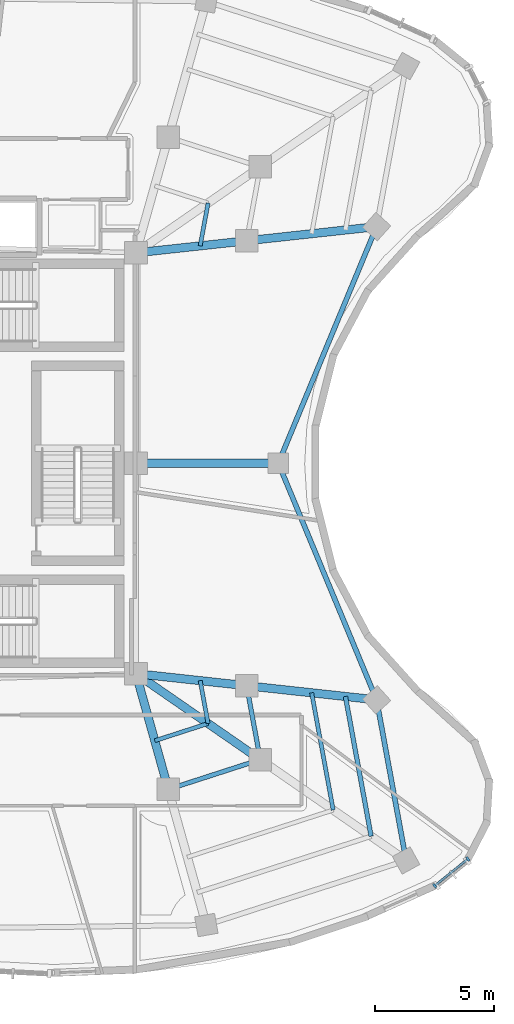
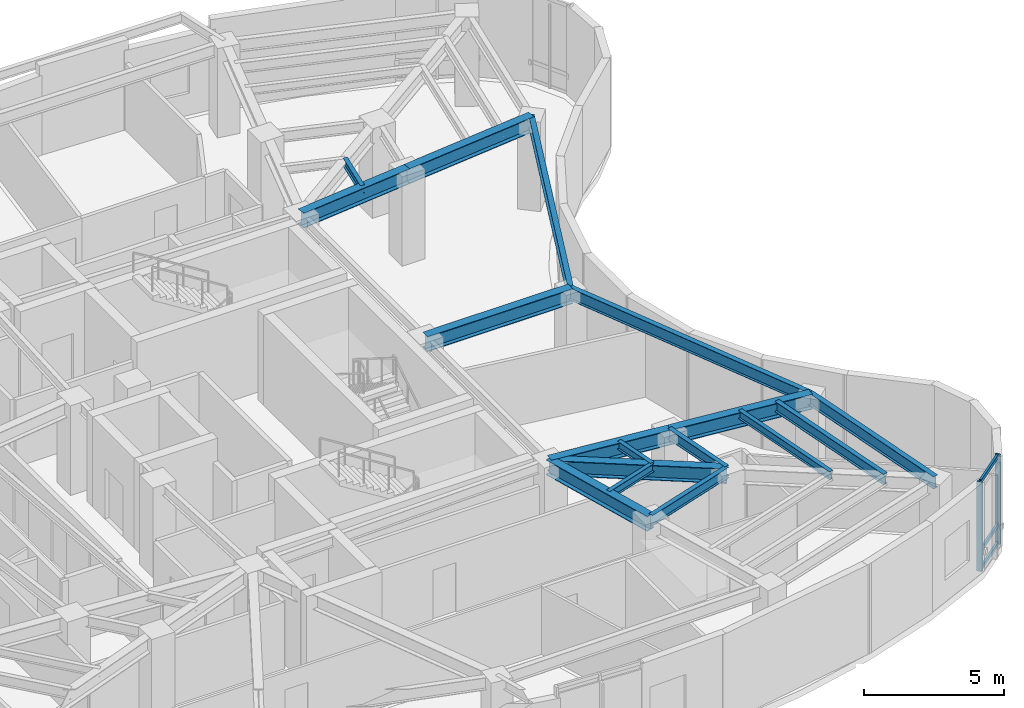
# One storey, part 4 of 13: 17 beams, 5 members, 1 element without a shape of its own.
"""IFC4 building model written with IfcOpenShell, lengths in metres."""

import ifcopenshell
import ifcopenshell.guid

model = None  # the IFC model being written
_history = None  # IfcOwnerHistory: only IFC2X3 demands one
_inside = {}  # id of a spatial element -> (the spatial element, [elements in it])
_under = {}  # id of a project, library or spatial element -> (it, [spatial elements below it])
_declared = {}  # id of a project -> (the project, [libraries it declares])
_typed = {}  # id of a type object -> (the type object, [elements of that type])
_made_of = {}  # id of a material, layer set ... -> (it, [elements and type objects made of it])


def new_model(schema):
    """Start an empty IFC model of exactly this schema.

    Asked for "IFC4X3", IfcOpenShell would pick the latest addendum, in which some entities
    have other attributes; the version numbers below select the first issue.
    IFC2X3 requires an IfcOwnerHistory on every rooted entity: one is made here for all.
    """
    global model, _history
    if schema == "IFC4X3":
        model = ifcopenshell.file(schema_version=(4, 3, 0, 0))
    else:
        model = ifcopenshell.file(schema=schema)
    _inside.clear()
    _under.clear()
    _declared.clear()
    _typed.clear()
    _made_of.clear()
    _history = None
    if model.schema == "IFC2X3":
        org = make("IfcOrganization", Name="unknown")
        user = make(
            "IfcPersonAndOrganization",
            ThePerson=make("IfcPerson", FamilyName="unknown"),
            TheOrganization=org,
        )
        app = make(
            "IfcApplication",
            ApplicationDeveloper=org,
            Version="unknown",
            ApplicationFullName="unknown",
            ApplicationIdentifier="unknown",
        )
        _history = make(
            "IfcOwnerHistory",
            OwningUser=user,
            OwningApplication=app,
            ChangeAction="ADDED",
            CreationDate=0,
        )
    return model


def make(cls, **values):
    """One entity of the class cls with the attributes given. An attribute that is None is left unset."""
    return model.create_entity(
        cls, **{name: value for name, value in values.items() if value is not None}
    )


def rooted(cls, **values):
    """An entity with a GlobalId (a new one), such as an element, a storey or a relation."""
    return make(cls, GlobalId=ifcopenshell.guid.new(), OwnerHistory=_history, **values)


def si_unit(unit_type, name, prefix=None):
    """IfcSIUnit, for example si_unit("LENGTHUNIT", "METRE", prefix="MILLI")."""
    return make("IfcSIUnit", UnitType=unit_type, Prefix=prefix, Name=name)


def assignment(units):
    """IfcUnitAssignment: the units of a project."""
    return None if units is None else make("IfcUnitAssignment", Units=units)


def point(xyz):
    """IfcCartesianPoint."""
    return None if xyz is None else make("IfcCartesianPoint", Coordinates=xyz)


def direction(xyz):
    """IfcDirection."""
    return None if xyz is None else make("IfcDirection", DirectionRatios=xyz)


def frame(location, z_axis=None, x_axis=None):
    """IfcAxis2Placement3D, a coordinate frame: its origin and axes. An axis left out is left unset."""
    return make(
        "IfcAxis2Placement3D",
        Location=point(location),
        Axis=direction(z_axis),
        RefDirection=direction(x_axis),
    )


def frame_2d(location, x_axis=None):
    """IfcAxis2Placement2D, a coordinate frame in the plane: its origin and x axis."""
    return make(
        "IfcAxis2Placement2D", Location=point(location), RefDirection=direction(x_axis)
    )


def origin():
    """The frame at (0, 0, 0) with its axes left unset."""
    return frame((0.0, 0.0, 0.0))


def origin_2d():
    """The frame at (0, 0) in the plane with its x axis left unset."""
    return frame_2d((0.0, 0.0))


def place(relative_to, where):
    """IfcLocalPlacement: puts the frame where relative to a parent placement (None: the world)."""
    return make(
        "IfcLocalPlacement", PlacementRelTo=relative_to, RelativePlacement=where
    )


def context(
    kind, dimensions, precision=None, world=None, true_north=None, identifier=None
):
    """IfcGeometricRepresentationContext, for example the 3D "Model" context."""
    return make(
        "IfcGeometricRepresentationContext",
        ContextIdentifier=identifier,
        ContextType=kind,
        CoordinateSpaceDimension=dimensions,
        Precision=precision,
        WorldCoordinateSystem=world,
        TrueNorth=true_north,
    )


def subcontext(parent, identifier, kind, view, scale=None):
    """IfcGeometricRepresentationSubContext, for example "Body" below "Model"."""
    return make(
        "IfcGeometricRepresentationSubContext",
        ContextIdentifier=identifier,
        ContextType=kind,
        ParentContext=parent,
        TargetScale=scale,
        TargetView=view,
    )


def project(units=None, contexts=None):
    """IfcProject with its units and contexts."""
    return rooted(
        "IfcProject",
        Name="project",
        RepresentationContexts=contexts,
        UnitsInContext=assignment(units),
    )


def spatial(cls, under=None, at=None, **own):
    """A site, building, storey or space (cls), placed at a placement, below another one or the project."""
    s = rooted(cls, ObjectPlacement=at, **own)
    if under is not None:
        _under.setdefault(under.id(), (under, []))[1].append(s)
    return s


def profile(cls, at=None, kind="AREA", **sizes):
    """A parametric profile (cls). Its sizes go by their IFC names, for example OverallWidth=200.0."""
    return make(cls, ProfileType=kind, Position=at, **sizes)


def rectangle(**sizes):
    """IfcRectangleProfileDef."""
    return profile("IfcRectangleProfileDef", **sizes)


def i_section(**sizes):
    """IfcIShapeProfileDef."""
    return profile("IfcIShapeProfileDef", **sizes)


def extrude(swept, where, along, depth):
    """IfcExtrudedAreaSolid: the profile swept, set in the frame where, extruded along a direction by depth."""
    return make(
        "IfcExtrudedAreaSolid",
        SweptArea=swept,
        Position=where,
        ExtrudedDirection=direction(along),
        Depth=depth,
    )


def shape(context_of_items, identifier, shape_type, items):
    """IfcShapeRepresentation: the items that make up one representation, for example the "Body"."""
    return make(
        "IfcShapeRepresentation",
        ContextOfItems=context_of_items,
        RepresentationIdentifier=identifier,
        RepresentationType=shape_type,
        Items=items,
    )


def material(Name=None, Category=None):
    """IfcMaterial."""
    return make("IfcMaterial", Name=Name, Category=Category)


def layer(
    of_material, thickness, ventilated=None, Name=None, Category=None, Priority=None
):
    """IfcMaterialLayer: one layer of a wall or slab, of a material (None: an air gap)."""
    return make(
        "IfcMaterialLayer",
        Material=of_material,
        LayerThickness=thickness,
        IsVentilated=ventilated,
        Name=Name,
        Category=Category,
        Priority=Priority,
    )


def layer_set(layers, Name=None):
    """IfcMaterialLayerSet."""
    return make("IfcMaterialLayerSet", MaterialLayers=layers, LayerSetName=Name)


def material_profile(
    of_material, cross_section, Name=None, Category=None, Priority=None
):
    """IfcMaterialProfile: a cross section and its material."""
    return make(
        "IfcMaterialProfile",
        Name=Name,
        Material=of_material,
        Profile=cross_section,
        Priority=Priority,
        Category=Category,
    )


def profile_set(profiles, Name=None, composite=None):
    """IfcMaterialProfileSet."""
    return make(
        "IfcMaterialProfileSet",
        Name=Name,
        MaterialProfiles=profiles,
        CompositeProfile=composite,
    )


def made_of(thing, what):
    """Note that an element or type object is made of a material, layer set ...; save() writes the relation."""
    if what is not None:
        _made_of.setdefault(what.id(), (what, []))[1].append(thing)
    return thing


def type_object(cls, material=None, **own):
    """A type object (cls), such as IfcWallType, which elements share."""
    return made_of(rooted(cls, **own), material)


def element(
    cls,
    number,
    at=None,
    inside=None,
    cuts=None,
    type_object=None,
    material=None,
    context=None,
    identifier="Body",
    shape_type=None,
    held_by="IfcProductDefinitionShape",
    body=None,
    shapes=None,
    **own,
):
    """One element of the class cls, such as IfcWall. Its Tag is "e" and its number.

    at: its placement. inside: the storey or other place that contains it. cuts: it is an
    opening in that element (IfcRelVoidsElement). A single representation is given by context,
    identifier, shape_type and body (its items); several are given by shapes. held_by: the class
    of the entity that holds the representations. save() writes the other relations.
    """
    e = rooted(cls, Tag="e%d" % number, ObjectPlacement=at, **own)
    if body is not None:
        shapes = [shape(context, identifier, shape_type, body)]
    if shapes is not None:
        e.Representation = make(held_by, Representations=shapes)
    if inside is not None:
        _inside.setdefault(inside.id(), (inside, []))[1].append(e)
    if cuts is not None:
        rooted(
            "IfcRelVoidsElement", RelatingBuildingElement=cuts, RelatedOpeningElement=e
        )
    if type_object is not None:
        _typed.setdefault(type_object.id(), (type_object, []))[1].append(e)
    return made_of(e, material)


def aggregate(whole, parts):
    """IfcRelAggregates: a whole, such as a stair, and the parts it consists of."""
    return rooted("IfcRelAggregates", RelatingObject=whole, RelatedObjects=parts)


def save(model, path):
    """Write the relations noted so far, then the file.

    IfcRelAggregates (storeys below a building ...), IfcRelContainedInSpatialStructure (elements
    in a storey), IfcRelDefinesByType, IfcRelAssociatesMaterial and IfcRelDeclares: one each for
    every whole, place, type object, material and project.
    """
    for whole, parts in _under.values():
        aggregate(whole, parts)
    for where, things in _inside.values():
        rooted(
            "IfcRelContainedInSpatialStructure",
            RelatedElements=things,
            RelatingStructure=where,
        )
    for kind, things in _typed.values():
        rooted("IfcRelDefinesByType", RelatedObjects=things, RelatingType=kind)
    for what, things in _made_of.values():
        rooted("IfcRelAssociatesMaterial", RelatedObjects=things, RelatingMaterial=what)
    for by, libraries in _declared.values():
        rooted("IfcRelDeclares", RelatingContext=by, RelatedDefinitions=libraries)
    model.write(path)


model = new_model("IFC4")

# Units and contexts
model_context = context("Model", 3, precision=1e-05, world=origin(), true_north=direction((0.0, 1.0)))
body_context = subcontext(model_context, "Body", "Model", "MODEL_VIEW")
ifc_project = project(units=[si_unit("LENGTHUNIT", "METRE"), si_unit("AREAUNIT", "SQUARE_METRE"), si_unit("VOLUMEUNIT", "CUBIC_METRE"), si_unit("PLANEANGLEUNIT", "RADIAN"), si_unit("MASSUNIT", "GRAM", prefix="KILO")], contexts=[model_context])

# Site, building, storey
site_placement = place(None, origin())
site = spatial("IfcSite", under=ifc_project, at=site_placement, CompositionType="ELEMENT")
building_placement = place(site_placement, origin())
building = spatial("IfcBuilding", under=site, at=building_placement, Name="Korentha Bioscience Tower", CompositionType="ELEMENT")
storey_placement = place(building_placement, frame((0.0, 0.0, 243.60009765625)))
storey = spatial("IfcBuildingStorey", under=building, at=storey_placement, Name="L56", CompositionType="ELEMENT", Elevation=243.60009765625)

# Beams
ifc_material_1 = material(Name="Steel S355", Category="steel")
ifc_material_profile_1 = material_profile(ifc_material_1, i_section(OverallWidth=0.18994140625, OverallDepth=0.45703125, WebThickness=0.009033203125, FlangeThickness=0.014404296875, at=origin_2d()), Name="Steel S355")
ifc_profile_set_1 = profile_set([ifc_material_profile_1], Name="Steel S355 (MB-460)")
beam_type_1 = type_object("IfcBeamType", Name="Mid-Ring Tie Girder W460x74", PredefinedType="BEAM", material=ifc_profile_set_1)
beam_1_placement = place(storey_placement, frame((38.9111328125, 13.285888671875, 3.67138671875), z_axis=(0.951528341902, 0.307561074514, 0.0), x_axis=(-0.307561074514, 0.951528341902, 0.0)))
element("IfcBeam", 1, at=beam_1_placement, inside=storey, type_object=beam_type_1, Name="L56 Mid-Ring Tie Girder 12", PredefinedType="BEAM", context=body_context, shape_type="SweptSolid", body=[
    extrude(i_section(OverallWidth=0.18994140625, OverallDepth=0.45703125, WebThickness=0.009033203125, FlangeThickness=0.014404296875, at=origin_2d()), origin(), (0.0, 0.0, 1.0), 4.062744140625),
])
beam_2_placement = place(storey_placement, frame((42.77685546875, 14.535400390625, 3.67138671875), z_axis=(-0.180965758034, 0.983489397207, 0.0), x_axis=(-0.983489397207, -0.180965758034, 0.0)))
element("IfcBeam", 2, at=beam_2_placement, inside=storey, type_object=beam_type_1, Name="L56 Mid-Ring Tie Girder 13", PredefinedType="BEAM", context=body_context, shape_type="SweptSolid", body=[
    extrude(i_section(OverallWidth=0.18994140625, OverallDepth=0.45703125, WebThickness=0.009033203125, FlangeThickness=0.014404296875, at=origin_2d()), origin(), (0.0, 0.0, 1.0), 3.15966796875),
])

# Curtain wall, members
ifc_material_2 = material(Name="Thermally Broken Aluminium Frame", Category="aluminium")
ifc_layer = layer(ifc_material_2, 0.219970703125, Name="Thermally Broken Aluminium Frame")
ifc_layer_set = layer_set([ifc_layer], Name="Thermally Broken Aluminium Frame (CW-T2)")
curtain_wall_type = type_object("IfcCurtainWallType", Name="Solar-Screened Lab Unitised Curtain Wall CW-T2", PredefinedType="USERDEFINED", material=ifc_layer_set)
curtain_wall_placement = place(storey_placement, origin())
curtain_wall = element("IfcCurtainWall", 3, at=curtain_wall_placement, inside=storey, type_object=curtain_wall_type, Name="L56 Curtain Wall 37", ObjectType="UNITISED", PredefinedType="USERDEFINED")
ifc_material_3 = material(Name="Anodised Aluminium 6063-T6", Category="aluminium")
ifc_material_profile_2 = material_profile(ifc_material_3, rectangle(XDim=0.090087890625, YDim=0.199951171875, at=origin_2d()), Name="Anodised Aluminium 6063-T6")
ifc_profile_set_2 = profile_set([ifc_material_profile_2], Name="Anodised Aluminium 6063-T6 (CW-MUL)")
member_type_1 = type_object("IfcMemberType", Name="Mullion RECT 90x200", PredefinedType="MULLION", material=ifc_profile_set_2)
member_1_placement = place(storey_placement, frame((50.1123046875, 9.225341796875, 0.0), z_axis=(0.0, 0.0, 1.0), x_axis=(0.777226359638, 0.629221094596, 0.0)))
member_1 = element("IfcMember", 4, at=member_1_placement, type_object=member_type_1, Name="CW-L56-37 Mullion 1", PredefinedType="MULLION", context=body_context, shape_type="SweptSolid", body=[
    extrude(rectangle(XDim=0.090087890625, YDim=0.199951171875, at=origin_2d()), origin(), (0.0, 0.0, 1.0), 3.89990234375),
])
member_2_placement = place(storey_placement, frame((51.509033203125, 10.356201171875, 0.0), z_axis=(0.0, 0.0, 1.0), x_axis=(0.777226359638, 0.629221094596, 0.0)))
member_2 = element("IfcMember", 5, at=member_2_placement, type_object=member_type_1, Name="CW-L56-37 Mullion 2", PredefinedType="MULLION", context=body_context, shape_type="SweptSolid", body=[
    extrude(rectangle(XDim=0.090087890625, YDim=0.199951171875, at=origin_2d()), origin(), (0.0, 0.0, 1.0), 3.89990234375),
])

# Beams
ifc_material_profile_3 = material_profile(ifc_material_1, i_section(OverallWidth=0.208984375, OverallDepth=0.532958984375, WebThickness=0.01025390625, FlangeThickness=0.015625, at=origin_2d()), Name="Steel S355")
ifc_profile_set_3 = profile_set([ifc_material_profile_3], Name="Steel S355 (SB-530)")
beam_type_2 = type_object("IfcBeamType", Name="Perimeter Ring Spandrel Girder W530x92", PredefinedType="SPANDREL", material=ifc_profile_set_3)
beam_3_placement = place(storey_placement, frame((48.912841796875, 10.292236328125, 3.63330078125), z_axis=(-0.180958869982, 0.98349066461, 0.0), x_axis=(-0.98349066461, -0.180958869982, 0.0)))
element("IfcBeam", 6, at=beam_3_placement, inside=storey, type_object=beam_type_2, Name="L56 Perimeter Spandrel Girder 13", PredefinedType="SPANDREL", context=body_context, shape_type="SweptSolid", body=[
    extrude(i_section(OverallWidth=0.208984375, OverallDepth=0.532958984375, WebThickness=0.01025390625, FlangeThickness=0.015625, at=origin_2d()), origin(), (0.0, 0.0, 1.0), 6.868408203125),
])
for number, where, z_axis, x_axis, name in (
    (7, (47.669921875, 17.04736328125, 3.63330078125), (-0.383518045315, 0.923533382676, 0.0), (-0.923533382676, -0.383518045315, 0.0), "L56 Perimeter Spandrel Girder 14"),
    (8, (43.536865234375, 27.0, 3.63330078125), (0.383518045315, 0.923533382676, 0.0), (-0.923533382676, 0.383518045315, 0.0), "L56 Perimeter Spandrel Girder 15"),
):
    element("IfcBeam", number, at=place(storey_placement, frame(where, z_axis=z_axis, x_axis=x_axis)), inside=storey, type_object=beam_type_2, Name=name, PredefinedType="SPANDREL", context=body_context, shape_type="SweptSolid", body=[
        extrude(i_section(OverallWidth=0.208984375, OverallDepth=0.532958984375, WebThickness=0.01025390625, FlangeThickness=0.015625, at=origin_2d()), origin(), (0.0, 0.0, 1.0), 10.776611328125),
    ])
ifc_material_profile_4 = material_profile(ifc_material_1, i_section(OverallWidth=0.18994140625, OverallDepth=0.45703125, WebThickness=0.009033203125, FlangeThickness=0.014404296875, at=origin_2d()), Name="Steel S355")
ifc_profile_set_4 = profile_set([ifc_material_profile_4], Name="Steel S355 (RB-460)")
beam_type_3 = type_object("IfcBeamType", Name="Radial Laboratory Beam W460x74", PredefinedType="BEAM", material=ifc_profile_set_4)
beam_4_placement = place(storey_placement, frame((47.440185546875, 11.310791015625, 3.67138671875), z_axis=(-0.18095869438, 0.98349069692, 0.0), x_axis=(-0.98349069692, -0.18095869438, 0.0)))
element("IfcBeam", 9, at=beam_4_placement, inside=storey, type_object=beam_type_3, Name="L56 Secondary Floor Beam JSTO-13", PredefinedType="BEAM", context=body_context, shape_type="SweptSolid", body=[
    extrude(i_section(OverallWidth=0.18994140625, OverallDepth=0.45703125, WebThickness=0.009033203125, FlangeThickness=0.014404296875, at=origin_2d()), origin(), (0.0, 0.0, 1.0), 5.97802734375),
])
ifc_material_profile_5 = material_profile(ifc_material_1, i_section(OverallWidth=0.35009765625, OverallDepth=0.64990234375, WebThickness=0.01611328125, FlangeThickness=0.02490234375, at=origin_2d()), Name="Steel S355")
ifc_profile_set_5 = profile_set([ifc_material_profile_5], Name="Steel S355 (RB-650)")
beam_type_4 = type_object("IfcBeamType", Name="Radial Laboratory Girder CVS 650x208", PredefinedType="BEAM", material=ifc_profile_set_5)
beam_5_placement = place(storey_placement, frame((37.550048828125, 18.14990234375, 3.574951171875), z_axis=(0.269475733077, -0.963007180286, 0.0), x_axis=(0.963007180286, 0.269475733077, 0.0)))
element("IfcBeam", 10, at=beam_5_placement, inside=storey, type_object=beam_type_4, Name="L56 Inner Radial Girder 12", PredefinedType="BEAM", context=body_context, shape_type="SweptSolid", body=[
    extrude(i_section(OverallWidth=0.35009765625, OverallDepth=0.64990234375, WebThickness=0.01611328125, FlangeThickness=0.02490234375, at=origin_2d()), origin(), (0.0, 0.0, 1.0), 5.05078125),
])
beam_6_placement = place(storey_placement, frame((37.550048828125, 18.14990234375, 3.574951171875), z_axis=(0.822490816724, -0.568778389537, 0.0), x_axis=(0.568778389537, 0.822490816724, 0.0)))
element("IfcBeam", 11, at=beam_6_placement, inside=storey, type_object=beam_type_4, Name="L56 Inner Radial Girder 13", PredefinedType="BEAM", context=body_context, shape_type="SweptSolid", body=[
    extrude(i_section(OverallWidth=0.35009765625, OverallDepth=0.64990234375, WebThickness=0.01611328125, FlangeThickness=0.02490234375, at=origin_2d()), origin(), (0.0, 0.0, 1.0), 6.354736328125),
])
beam_7_placement = place(storey_placement, frame((37.550048828125, 18.14990234375, 3.574951171875), z_axis=(0.994119231427, -0.108291060139, 0.0), x_axis=(0.108291060139, 0.994119231427, 0.0)))
element("IfcBeam", 12, at=beam_7_placement, inside=storey, type_object=beam_type_4, Name="L56 Inner Radial Girder 14", PredefinedType="BEAM", context=body_context, shape_type="SweptSolid", body=[
    extrude(i_section(OverallWidth=0.35009765625, OverallDepth=0.64990234375, WebThickness=0.01611328125, FlangeThickness=0.02490234375, at=origin_2d()), origin(), (0.0, 0.0, 1.0), 4.6826171875),
])
beam_8_placement = place(storey_placement, frame((42.205078125, 17.642822265625, 3.574951171875), z_axis=(0.994116010051, -0.108320628508, 0.0), x_axis=(0.108320628508, 0.994116010051, 0.0)))
element("IfcBeam", 13, at=beam_8_placement, inside=storey, type_object=beam_type_4, Name="L56 Outer Radial Girder 14", PredefinedType="BEAM", context=body_context, shape_type="SweptSolid", body=[
    extrude(i_section(OverallWidth=0.35009765625, OverallDepth=0.64990234375, WebThickness=0.01611328125, FlangeThickness=0.02490234375, at=origin_2d()), origin(), (0.0, 0.0, 1.0), 5.4970703125),
])
beam_9_placement = place(storey_placement, frame((37.550048828125, 27.0, 3.574951171875), z_axis=(1.0, 0.0, 0.0), x_axis=(0.0, 1.0, 0.0)))
element("IfcBeam", 14, at=beam_9_placement, inside=storey, type_object=beam_type_4, Name="L56 Radial Girder 15", PredefinedType="BEAM", context=body_context, shape_type="SweptSolid", body=[
    extrude(i_section(OverallWidth=0.35009765625, OverallDepth=0.64990234375, WebThickness=0.01611328125, FlangeThickness=0.02490234375, at=origin_2d()), origin(), (0.0, 0.0, 1.0), 5.98681640625),
])
beam_10_placement = place(storey_placement, frame((37.550048828125, 35.85009765625, 3.574951171875), z_axis=(0.994119231427, 0.108291060139, 0.0), x_axis=(-0.108291060139, 0.994119231427, 0.0)))
element("IfcBeam", 15, at=beam_10_placement, inside=storey, type_object=beam_type_4, Name="L56 Inner Radial Girder 16", PredefinedType="BEAM", context=body_context, shape_type="SweptSolid", body=[
    extrude(i_section(OverallWidth=0.35009765625, OverallDepth=0.64990234375, WebThickness=0.01611328125, FlangeThickness=0.02490234375, at=origin_2d()), origin(), (0.0, 0.0, 1.0), 4.6826171875),
])
beam_11_placement = place(storey_placement, frame((42.205078125, 36.357177734375, 3.574951171875), z_axis=(0.994116010051, 0.108320628508, 0.0), x_axis=(-0.108320628508, 0.994116010051, 0.0)))
element("IfcBeam", 16, at=beam_11_placement, inside=storey, type_object=beam_type_4, Name="L56 Outer Radial Girder 16", PredefinedType="BEAM", context=body_context, shape_type="SweptSolid", body=[
    extrude(i_section(OverallWidth=0.35009765625, OverallDepth=0.64990234375, WebThickness=0.01611328125, FlangeThickness=0.02490234375, at=origin_2d()), origin(), (0.0, 0.0, 1.0), 5.4970703125),
])
ifc_material_profile_6 = material_profile(ifc_material_1, i_section(OverallWidth=0.1708984375, OverallDepth=0.35498046875, WebThickness=0.007080078125, FlangeThickness=0.01171875, at=origin_2d()), Name="Steel S355")
ifc_profile_set_6 = profile_set([ifc_material_profile_6], Name="Steel S355 (JB-360)")
beam_type_5 = type_object("IfcBeamType", Name="Secondary Laboratory Joist W360x51", PredefinedType="JOIST", material=ifc_profile_set_6)
beam_12_placement = place(storey_placement, frame((38.33935546875, 15.328857421875, 3.722412109375), z_axis=(0.951514105526, 0.307605115343, 0.0), x_axis=(-0.307605115343, 0.951514105526, 0.0)))
element("IfcBeam", 17, at=beam_12_placement, inside=storey, type_object=beam_type_5, Name="L56 Inner Bay Joist 12", PredefinedType="JOIST", context=body_context, shape_type="SweptSolid", body=[
    extrude(i_section(OverallWidth=0.1708984375, OverallDepth=0.35498046875, WebThickness=0.007080078125, FlangeThickness=0.01171875, at=origin_2d()), origin(), (0.0, 0.0, 1.0), 2.3564453125),
])
beam_13_placement = place(storey_placement, frame((45.844970703125, 12.413818359375, 3.722412109375), z_axis=(-0.180980255152, 0.983486729572, 0.0), x_axis=(-0.983486729572, -0.180980255152, 0.0)))
element("IfcBeam", 18, at=beam_13_placement, inside=storey, type_object=beam_type_5, Name="L56 Secondary Floor Beam JST-13", PredefinedType="JOIST", context=body_context, shape_type="SweptSolid", body=[
    extrude(i_section(OverallWidth=0.1708984375, OverallDepth=0.35498046875, WebThickness=0.007080078125, FlangeThickness=0.01171875, at=origin_2d()), origin(), (0.0, 0.0, 1.0), 5.01416015625),
])
for number, where, z_axis, x_axis, name in (
    (19, (40.58154296875, 16.0537109375, 3.722412109375), (-0.180948766691, 0.983492523527, 0.0), (-0.983492523527, -0.180948766691, 0.0), "L56 Inner Bay Joist 13"),
    (20, (40.25, 36.144287109375, 3.722412109375), (0.180948766691, 0.983492523527, 0.0), (-0.983492523527, 0.180948766691, 0.0), "L56 Inner Bay Joist 16"),
):
    element("IfcBeam", number, at=place(storey_placement, frame(where, z_axis=z_axis, x_axis=x_axis)), inside=storey, type_object=beam_type_5, Name=name, PredefinedType="JOIST", context=body_context, shape_type="SweptSolid", body=[
        extrude(i_section(OverallWidth=0.1708984375, OverallDepth=0.35498046875, WebThickness=0.007080078125, FlangeThickness=0.01171875, at=origin_2d()), origin(), (0.0, 0.0, 1.0), 1.832275390625),
    ])

# Member
ifc_material_profile_7 = material_profile(ifc_material_3, rectangle(XDim=0.090087890625, YDim=0.159912109375, at=origin_2d()), Name="Anodised Aluminium 6063-T6")
ifc_profile_set_7 = profile_set([ifc_material_profile_7], Name="Anodised Aluminium 6063-T6 (CW-TRN)")
member_type_2 = type_object("IfcMemberType", Name="Transom RECT 90x160", PredefinedType="USERDEFINED", material=ifc_profile_set_7)
member_3_placement = place(storey_placement, frame((50.1474609375, 9.253662109375, 0.044921875), z_axis=(0.777171592091, 0.629288738535, 0.0), x_axis=(-0.629288738535, 0.777171592091, 0.0)))
member_3 = element("IfcMember", 21, at=member_3_placement, type_object=member_type_2, Name="CW-L56-37 Bay 1 Transom 1", ObjectType="TRANSOM", PredefinedType="USERDEFINED", context=body_context, shape_type="SweptSolid", body=[
    extrude(rectangle(XDim=0.090087890625, YDim=0.159912109375, at=origin_2d()), origin(), (0.0, 0.0, 1.0), 1.70703125),
])

member_4_placement = place(storey_placement, frame((50.1474609375, 9.253662109375, 0.849853515625), z_axis=(0.777171592091, 0.629288738535, 0.0), x_axis=(-0.629288738535, 0.777171592091, 0.0)))
member_4 = element("IfcMember", 22, at=member_4_placement, type_object=member_type_2, Name="CW-L56-37 Bay 1 Transom 2", ObjectType="TRANSOM", PredefinedType="USERDEFINED", context=body_context, shape_type="SweptSolid", body=[
    extrude(rectangle(XDim=0.090087890625, YDim=0.159912109375, at=origin_2d()), origin(), (0.0, 0.0, 1.0), 1.70703125),
])

member_5_placement = place(storey_placement, frame((50.1474609375, 9.253662109375, 3.85498046875), z_axis=(0.777171592091, 0.629288738535, 0.0), x_axis=(-0.629288738535, 0.777171592091, 0.0)))
member_5 = element("IfcMember", 23, at=member_5_placement, type_object=member_type_2, Name="CW-L56-37 Bay 1 Transom 3", ObjectType="TRANSOM", PredefinedType="USERDEFINED", context=body_context, shape_type="SweptSolid", body=[
    extrude(rectangle(XDim=0.090087890625, YDim=0.159912109375, at=origin_2d()), origin(), (0.0, 0.0, 1.0), 1.70703125),
])

aggregate(curtain_wall, [member_1, member_2, member_3, member_4, member_5])

save(model, "model.ifc")
